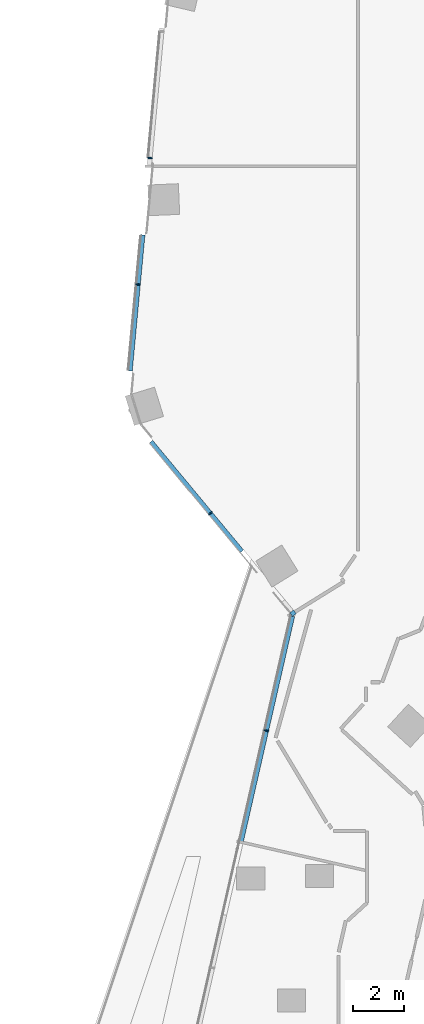
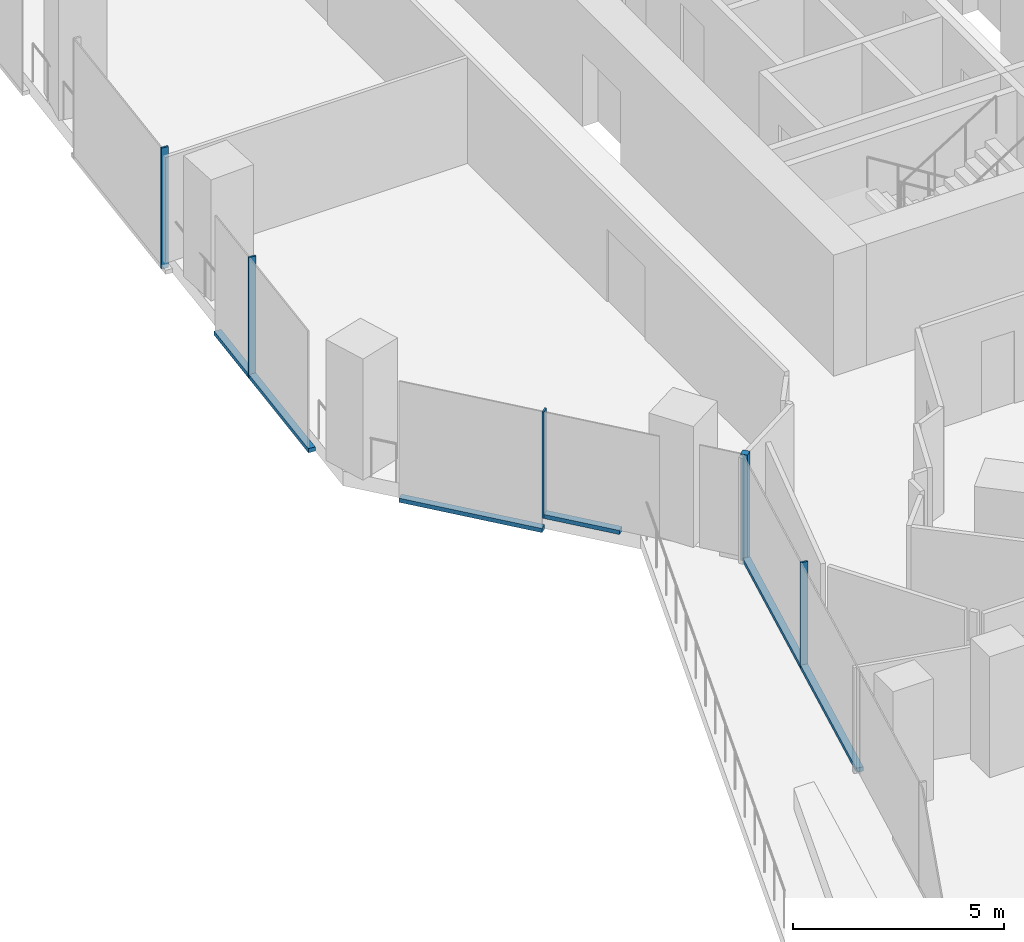
# One storey, part 6 of 28: 9 members, 3 elements without a shape of their own.
"""IFC4 building model written with IfcOpenShell, lengths in metres."""

import ifcopenshell
import ifcopenshell.guid

model = None  # the IFC model being written
_history = None  # IfcOwnerHistory: only IFC2X3 demands one
_inside = {}  # id of a spatial element -> (the spatial element, [elements in it])
_under = {}  # id of a project, library or spatial element -> (it, [spatial elements below it])
_declared = {}  # id of a project -> (the project, [libraries it declares])
_typed = {}  # id of a type object -> (the type object, [elements of that type])
_made_of = {}  # id of a material, layer set ... -> (it, [elements and type objects made of it])


def new_model(schema):
    """Start an empty IFC model of exactly this schema.

    Asked for "IFC4X3", IfcOpenShell would pick the latest addendum, in which some entities
    have other attributes; the version numbers below select the first issue.
    IFC2X3 requires an IfcOwnerHistory on every rooted entity: one is made here for all.
    """
    global model, _history
    if schema == "IFC4X3":
        model = ifcopenshell.file(schema_version=(4, 3, 0, 0))
    else:
        model = ifcopenshell.file(schema=schema)
    _inside.clear()
    _under.clear()
    _declared.clear()
    _typed.clear()
    _made_of.clear()
    _history = None
    if model.schema == "IFC2X3":
        org = make("IfcOrganization", Name="unknown")
        user = make(
            "IfcPersonAndOrganization",
            ThePerson=make("IfcPerson", FamilyName="unknown"),
            TheOrganization=org,
        )
        app = make(
            "IfcApplication",
            ApplicationDeveloper=org,
            Version="unknown",
            ApplicationFullName="unknown",
            ApplicationIdentifier="unknown",
        )
        _history = make(
            "IfcOwnerHistory",
            OwningUser=user,
            OwningApplication=app,
            ChangeAction="ADDED",
            CreationDate=0,
        )
    return model


def make(cls, **values):
    """One entity of the class cls with the attributes given. An attribute that is None is left unset."""
    return model.create_entity(
        cls, **{name: value for name, value in values.items() if value is not None}
    )


def rooted(cls, **values):
    """An entity with a GlobalId (a new one), such as an element, a storey or a relation."""
    return make(cls, GlobalId=ifcopenshell.guid.new(), OwnerHistory=_history, **values)


def si_unit(unit_type, name, prefix=None):
    """IfcSIUnit, for example si_unit("LENGTHUNIT", "METRE", prefix="MILLI")."""
    return make("IfcSIUnit", UnitType=unit_type, Prefix=prefix, Name=name)


def assignment(units):
    """IfcUnitAssignment: the units of a project."""
    return None if units is None else make("IfcUnitAssignment", Units=units)


def point(xyz):
    """IfcCartesianPoint."""
    return None if xyz is None else make("IfcCartesianPoint", Coordinates=xyz)


def direction(xyz):
    """IfcDirection."""
    return None if xyz is None else make("IfcDirection", DirectionRatios=xyz)


def frame(location, z_axis=None, x_axis=None):
    """IfcAxis2Placement3D, a coordinate frame: its origin and axes. An axis left out is left unset."""
    return make(
        "IfcAxis2Placement3D",
        Location=point(location),
        Axis=direction(z_axis),
        RefDirection=direction(x_axis),
    )


def frame_2d(location, x_axis=None):
    """IfcAxis2Placement2D, a coordinate frame in the plane: its origin and x axis."""
    return make(
        "IfcAxis2Placement2D", Location=point(location), RefDirection=direction(x_axis)
    )


def origin():
    """The frame at (0, 0, 0) with its axes left unset."""
    return frame((0.0, 0.0, 0.0))


def origin_2d():
    """The frame at (0, 0) in the plane with its x axis left unset."""
    return frame_2d((0.0, 0.0))


def place(relative_to, where):
    """IfcLocalPlacement: puts the frame where relative to a parent placement (None: the world)."""
    return make(
        "IfcLocalPlacement", PlacementRelTo=relative_to, RelativePlacement=where
    )


def context(
    kind, dimensions, precision=None, world=None, true_north=None, identifier=None
):
    """IfcGeometricRepresentationContext, for example the 3D "Model" context."""
    return make(
        "IfcGeometricRepresentationContext",
        ContextIdentifier=identifier,
        ContextType=kind,
        CoordinateSpaceDimension=dimensions,
        Precision=precision,
        WorldCoordinateSystem=world,
        TrueNorth=true_north,
    )


def subcontext(parent, identifier, kind, view, scale=None):
    """IfcGeometricRepresentationSubContext, for example "Body" below "Model"."""
    return make(
        "IfcGeometricRepresentationSubContext",
        ContextIdentifier=identifier,
        ContextType=kind,
        ParentContext=parent,
        TargetScale=scale,
        TargetView=view,
    )


def project(units=None, contexts=None):
    """IfcProject with its units and contexts."""
    return rooted(
        "IfcProject",
        Name="project",
        RepresentationContexts=contexts,
        UnitsInContext=assignment(units),
    )


def spatial(cls, under=None, at=None, **own):
    """A site, building, storey or space (cls), placed at a placement, below another one or the project."""
    s = rooted(cls, ObjectPlacement=at, **own)
    if under is not None:
        _under.setdefault(under.id(), (under, []))[1].append(s)
    return s


def profile(cls, at=None, kind="AREA", **sizes):
    """A parametric profile (cls). Its sizes go by their IFC names, for example OverallWidth=200.0."""
    return make(cls, ProfileType=kind, Position=at, **sizes)


def rectangle(**sizes):
    """IfcRectangleProfileDef."""
    return profile("IfcRectangleProfileDef", **sizes)


def extrude(swept, where, along, depth):
    """IfcExtrudedAreaSolid: the profile swept, set in the frame where, extruded along a direction by depth."""
    return make(
        "IfcExtrudedAreaSolid",
        SweptArea=swept,
        Position=where,
        ExtrudedDirection=direction(along),
        Depth=depth,
    )


def shape(context_of_items, identifier, shape_type, items):
    """IfcShapeRepresentation: the items that make up one representation, for example the "Body"."""
    return make(
        "IfcShapeRepresentation",
        ContextOfItems=context_of_items,
        RepresentationIdentifier=identifier,
        RepresentationType=shape_type,
        Items=items,
    )


def material(Name=None, Category=None):
    """IfcMaterial."""
    return make("IfcMaterial", Name=Name, Category=Category)


def material_profile(
    of_material, cross_section, Name=None, Category=None, Priority=None
):
    """IfcMaterialProfile: a cross section and its material."""
    return make(
        "IfcMaterialProfile",
        Name=Name,
        Material=of_material,
        Profile=cross_section,
        Priority=Priority,
        Category=Category,
    )


def profile_set(profiles, Name=None, composite=None):
    """IfcMaterialProfileSet."""
    return make(
        "IfcMaterialProfileSet",
        Name=Name,
        MaterialProfiles=profiles,
        CompositeProfile=composite,
    )


def made_of(thing, what):
    """Note that an element or type object is made of a material, layer set ...; save() writes the relation."""
    if what is not None:
        _made_of.setdefault(what.id(), (what, []))[1].append(thing)
    return thing


def type_object(cls, material=None, **own):
    """A type object (cls), such as IfcWallType, which elements share."""
    return made_of(rooted(cls, **own), material)


def element(
    cls,
    number,
    at=None,
    inside=None,
    cuts=None,
    type_object=None,
    material=None,
    context=None,
    identifier="Body",
    shape_type=None,
    held_by="IfcProductDefinitionShape",
    body=None,
    shapes=None,
    **own,
):
    """One element of the class cls, such as IfcWall. Its Tag is "e" and its number.

    at: its placement. inside: the storey or other place that contains it. cuts: it is an
    opening in that element (IfcRelVoidsElement). A single representation is given by context,
    identifier, shape_type and body (its items); several are given by shapes. held_by: the class
    of the entity that holds the representations. save() writes the other relations.
    """
    e = rooted(cls, Tag="e%d" % number, ObjectPlacement=at, **own)
    if body is not None:
        shapes = [shape(context, identifier, shape_type, body)]
    if shapes is not None:
        e.Representation = make(held_by, Representations=shapes)
    if inside is not None:
        _inside.setdefault(inside.id(), (inside, []))[1].append(e)
    if cuts is not None:
        rooted(
            "IfcRelVoidsElement", RelatingBuildingElement=cuts, RelatedOpeningElement=e
        )
    if type_object is not None:
        _typed.setdefault(type_object.id(), (type_object, []))[1].append(e)
    return made_of(e, material)


def aggregate(whole, parts):
    """IfcRelAggregates: a whole, such as a stair, and the parts it consists of."""
    return rooted("IfcRelAggregates", RelatingObject=whole, RelatedObjects=parts)


def save(model, path):
    """Write the relations noted so far, then the file.

    IfcRelAggregates (storeys below a building ...), IfcRelContainedInSpatialStructure (elements
    in a storey), IfcRelDefinesByType, IfcRelAssociatesMaterial and IfcRelDeclares: one each for
    every whole, place, type object, material and project.
    """
    for whole, parts in _under.values():
        aggregate(whole, parts)
    for where, things in _inside.values():
        rooted(
            "IfcRelContainedInSpatialStructure",
            RelatedElements=things,
            RelatingStructure=where,
        )
    for kind, things in _typed.values():
        rooted("IfcRelDefinesByType", RelatedObjects=things, RelatingType=kind)
    for what, things in _made_of.values():
        rooted("IfcRelAssociatesMaterial", RelatedObjects=things, RelatingMaterial=what)
    for by, libraries in _declared.values():
        rooted("IfcRelDeclares", RelatingContext=by, RelatedDefinitions=libraries)
    model.write(path)


model = new_model("IFC4")

# Units and contexts
model_context = context("Model", 3, precision=1e-05, world=origin(), true_north=direction((0.0, 1.0)))
body_context = subcontext(model_context, "Body", "Model", "MODEL_VIEW")
ifc_project = project(units=[si_unit("LENGTHUNIT", "METRE"), si_unit("AREAUNIT", "SQUARE_METRE"), si_unit("VOLUMEUNIT", "CUBIC_METRE"), si_unit("PLANEANGLEUNIT", "RADIAN"), si_unit("MASSUNIT", "GRAM", prefix="KILO")], contexts=[model_context])

# Site, building, storey
site_placement = place(None, origin())
site = spatial("IfcSite", under=ifc_project, at=site_placement, CompositionType="ELEMENT")
building_placement = place(site_placement, origin())
building = spatial("IfcBuilding", under=site, at=building_placement, Name="Orlundy Tower", CompositionType="ELEMENT")
storey_placement = place(building_placement, frame((0.0, 0.0, 167.10009765625)))
storey = spatial("IfcBuildingStorey", under=building, at=storey_placement, Name="L43", CompositionType="ELEMENT", Elevation=167.10009765625)

# Curtain wall, member
ifc_material_1 = material(Name="Aluminium bronze anodised", Category="aluminium")
curtain_wall_type = type_object("IfcCurtainWallType", Name="CW1 wall", PredefinedType="NOTDEFINED", material=ifc_material_1)
curtain_wall_1_placement = place(storey_placement, origin())
curtain_wall_1 = element("IfcCurtainWall", 1, at=curtain_wall_1_placement, inside=storey, type_object=curtain_wall_type, Name="CW1 run 01", PredefinedType="NOTDEFINED")
ifc_material_2 = material(Name="Aluminium bronze anodised", Category="aluminium")
ifc_material_profile_1 = material_profile(ifc_material_2, rectangle(XDim=0.179931640625, YDim=0.179931640625, at=origin_2d()), Name="CW1 corner post 180x180")
ifc_profile_set_1 = profile_set([ifc_material_profile_1], Name="Aluminium bronze anodised")
member_type_1 = type_object("IfcMemberType", Name="CW1 corner post 180x180", PredefinedType="MULLION", material=ifc_profile_set_1)
member_1_placement = place(storey_placement, frame((-24.588623046875, -17.4873046875, 0.0), z_axis=(0.0, 0.0, 1.0), x_axis=(-0.769788399055, -0.638299162368, 0.0)))
member_1 = element("IfcMember", 2, at=member_1_placement, type_object=member_type_1, Name="CW1 mullion 7", PredefinedType="MULLION", context=body_context, shape_type="SweptSolid", body=[
    extrude(rectangle(XDim=0.179931640625, YDim=0.179931640625, at=origin_2d()), origin(), (0.0, 0.0, 1.0), 3.079833984375),
])

curtain_wall_2_placement = place(storey_placement, origin())
curtain_wall_2 = element("IfcCurtainWall", 3, at=curtain_wall_2_placement, inside=storey, type_object=curtain_wall_type, Name="CW1 run 00", PredefinedType="NOTDEFINED")
ifc_material_3 = material(Name="Aluminium bronze anodised", Category="aluminium")
ifc_material_profile_2 = material_profile(ifc_material_3, rectangle(XDim=0.179931640625, YDim=0.050048828125, at=origin_2d()), Name="CW1 mullion 50x180")
ifc_profile_set_2 = profile_set([ifc_material_profile_2], Name="Aluminium bronze anodised")
member_type_2 = type_object("IfcMemberType", Name="CW1 mullion 50x180", PredefinedType="MULLION", material=ifc_profile_set_2)
member_2_placement = place(storey_placement, frame((-25.635009765625, -22.08056640625, 0.0), z_axis=(0.0, 0.0, 1.0), x_axis=(-0.97502463614, 0.222096733251, 0.0)))
member_2 = element("IfcMember", 4, at=member_2_placement, type_object=member_type_2, Name="CW1 mullion 6", PredefinedType="MULLION", context=body_context, shape_type="SweptSolid", body=[
    extrude(rectangle(XDim=0.179931640625, YDim=0.050048828125, at=origin_2d()), origin(), (0.0, 0.0, 1.0), 3.079833984375),
])

# Member
member_3_placement = place(storey_placement, frame((-27.827392578125, -13.58154296875, 0.0), z_axis=(0.0, 0.0, 1.0), x_axis=(-0.769788399055, -0.638299162368, 0.0)))
member_3 = element("IfcMember", 5, at=member_3_placement, type_object=member_type_2, Name="CW1 mullion 8", PredefinedType="MULLION", context=body_context, shape_type="SweptSolid", body=[
    extrude(rectangle(XDim=0.179931640625, YDim=0.050048828125, at=origin_2d()), origin(), (0.0, 0.0, 1.0), 3.079833984375),
])

# Curtain wall, members
curtain_wall_3_placement = place(storey_placement, origin())
curtain_wall_3 = element("IfcCurtainWall", 6, at=curtain_wall_3_placement, inside=storey, type_object=curtain_wall_type, Name="CW1 run 02", PredefinedType="NOTDEFINED")
member_4_placement = place(storey_placement, frame((-30.652587890625, -4.626708984375, -0.420166015625), z_axis=(0.0, 0.0, 1.0), x_axis=(-0.995670958136, 0.092948066811, 0.0)))
member_4 = element("IfcMember", 7, at=member_4_placement, type_object=member_type_2, Name="CW1 mullion 10", PredefinedType="MULLION", context=body_context, shape_type="SweptSolid", body=[
    extrude(rectangle(XDim=0.179931640625, YDim=0.050048828125, at=origin_2d()), origin(), (0.0, 0.0, 1.0), 3.5),
])
member_5_placement = place(storey_placement, frame((-30.190673828125, 0.322265625, -0.420166015625), z_axis=(0.0, 0.0, 1.0), x_axis=(-0.995670958136, 0.092948066811, 0.0)))
member_5 = element("IfcMember", 8, at=member_5_placement, type_object=member_type_2, Name="CW1 mullion 11", PredefinedType="MULLION", context=body_context, shape_type="SweptSolid", body=[
    extrude(rectangle(XDim=0.179931640625, YDim=0.050048828125, at=origin_2d()), origin(), (0.0, 0.0, 1.0), 3.5),
])

# Member
ifc_material_4 = material(Name="Aluminium bronze anodised", Category="aluminium")
ifc_material_profile_3 = material_profile(ifc_material_4, rectangle(XDim=0.179931640625, YDim=0.1201171875, at=origin_2d()), Name="CW1 transom 180x120")
ifc_profile_set_3 = profile_set([ifc_material_profile_3], Name="Aluminium bronze anodised")
member_type_3 = type_object("IfcMemberType", Name="CW1 transom 180x120", PredefinedType="USERDEFINED", material=ifc_profile_set_3)
member_6_placement = place(storey_placement, frame((-26.630126953125, -26.4501953125, 0.059814453125), z_axis=(0.222089471079, 0.975026290331, 0.0), x_axis=(-0.975026290331, 0.222089471079, 0.0)))
member_6 = element("IfcMember", 9, at=member_6_placement, type_object=member_type_3, Name="CW1 transom", ObjectType="TRANSOM", PredefinedType="USERDEFINED", context=body_context, shape_type="SweptSolid", body=[
    extrude(rectangle(XDim=0.179931640625, YDim=0.1201171875, at=origin_2d()), origin(), (0.0, 0.0, 1.0), 9.0791015625),
])

aggregate(curtain_wall_2, [member_2, member_6])

member_7_placement = place(storey_placement, frame((-26.595458984375, -15.067138671875, 0.059814453125), z_axis=(-0.638228439872, 0.769847035805, 0.0), x_axis=(-0.769847035805, -0.638228439872, 0.0)))
member_7 = element("IfcMember", 10, at=member_7_placement, type_object=member_type_3, Name="CW1 transom", ObjectType="TRANSOM", PredefinedType="USERDEFINED", context=body_context, shape_type="SweptSolid", body=[
    extrude(rectangle(XDim=0.179931640625, YDim=0.1201171875, at=origin_2d()), origin(), (0.0, 0.0, 1.0), 1.905029296875),
])

member_8_placement = place(storey_placement, frame((-27.84326171875, -13.562255859375, -0.360107421875), z_axis=(-0.638296847653, 0.769790318383, 0.0), x_axis=(-0.769790318383, -0.638296847653, 0.0)))
member_8 = element("IfcMember", 11, at=member_8_placement, type_object=member_type_3, Name="CW1 transom", ObjectType="TRANSOM", PredefinedType="USERDEFINED", context=body_context, shape_type="SweptSolid", body=[
    extrude(rectangle(XDim=0.179931640625, YDim=0.1201171875, at=origin_2d()), origin(), (0.0, 0.0, 1.0), 3.61669921875),
])

aggregate(curtain_wall_1, [member_1, member_3, member_7, member_8])

member_9_placement = place(storey_placement, frame((-30.968017578125, -8.005859375, -0.360107421875), z_axis=(0.09292341583, 0.995673259052, 0.0), x_axis=(-0.995673259052, 0.09292341583, 0.0)))
member_9 = element("IfcMember", 12, at=member_9_placement, type_object=member_type_3, Name="CW1 transom", ObjectType="TRANSOM", PredefinedType="USERDEFINED", context=body_context, shape_type="SweptSolid", body=[
    extrude(rectangle(XDim=0.179931640625, YDim=0.1201171875, at=origin_2d()), origin(), (0.0, 0.0, 1.0), 5.3466796875),
])

aggregate(curtain_wall_3, [member_4, member_5, member_9])

save(model, "model.ifc")
